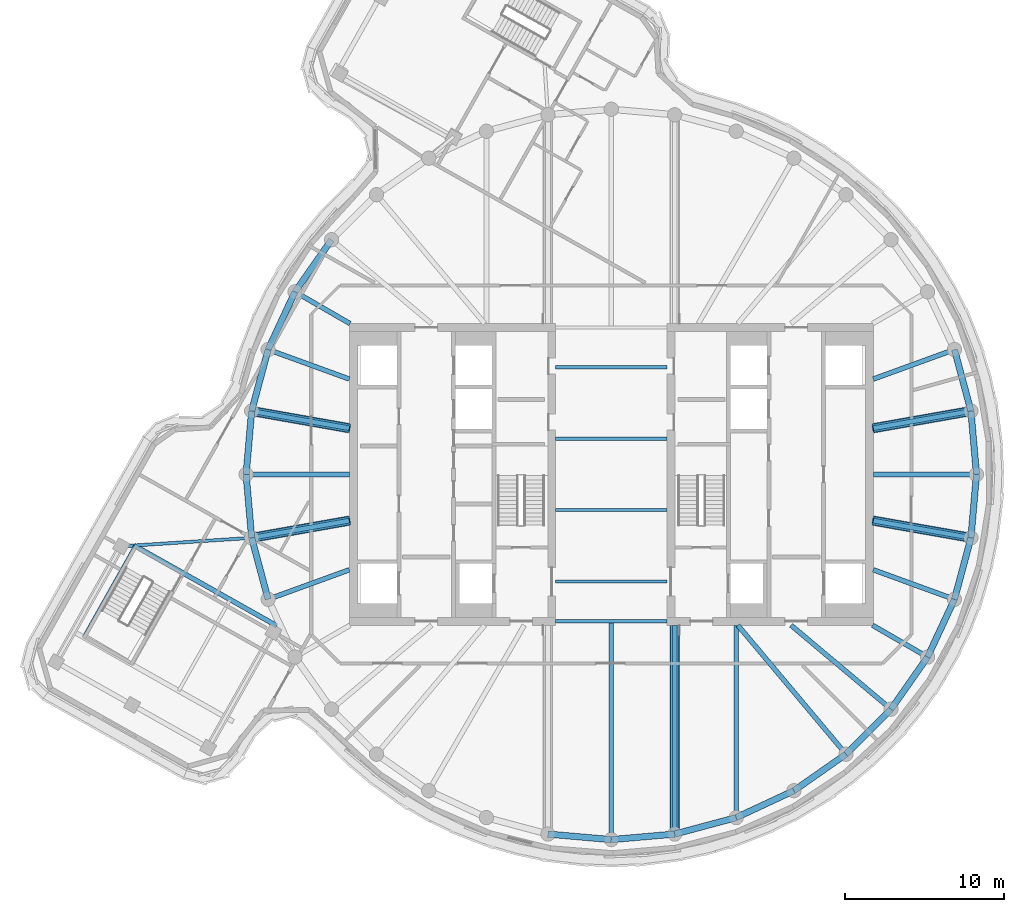
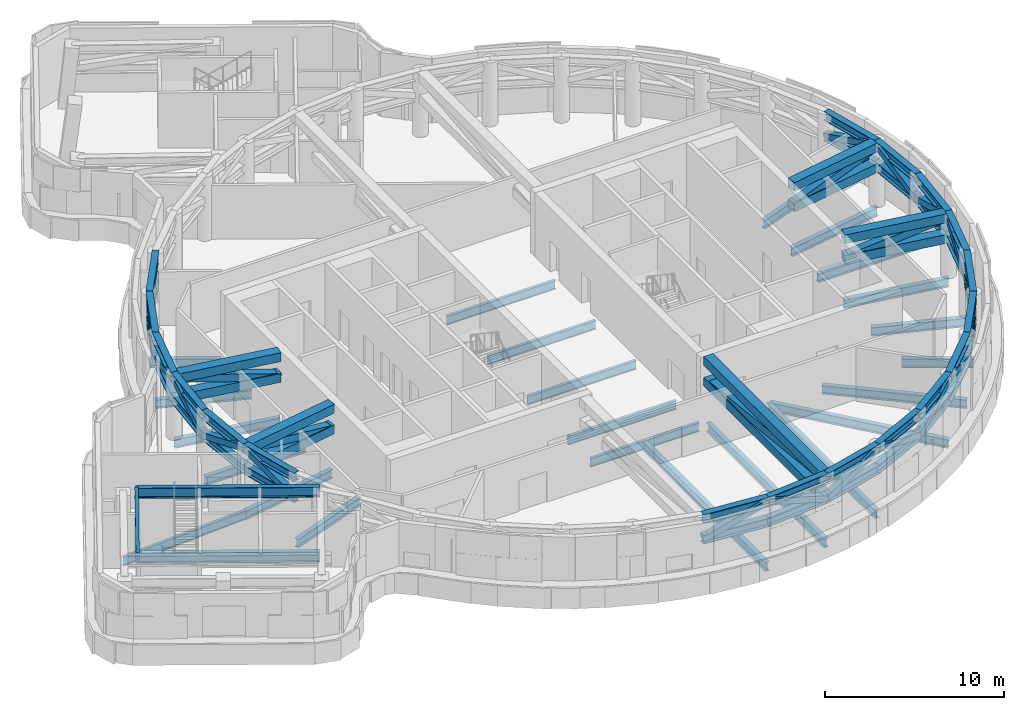
# One storey, part 2 of 15: 68 members, 26 beams.
"""IFC4 building model written with IfcOpenShell, lengths in metres."""

from ifc_helpers import new_model, si_unit, direction, frame, origin, origin_2d, place, context, subcontext, project, spatial, hollow_rectangle, i_section, extrude, material, material_profile, profile_set, type_object, element, save


model = new_model("IFC4")

# Units and contexts
model_context = context("Model", 3, precision=1e-05, world=origin(), true_north=direction((0.0, 1.0)))
body_context = subcontext(model_context, "Body", "Model", "MODEL_VIEW")
ifc_project = project(units=[si_unit("LENGTHUNIT", "METRE"), si_unit("AREAUNIT", "SQUARE_METRE"), si_unit("VOLUMEUNIT", "CUBIC_METRE"), si_unit("PLANEANGLEUNIT", "RADIAN"), si_unit("MASSUNIT", "GRAM", prefix="KILO")], contexts=[model_context])

# Site, building, storey
site_placement = place(None, origin())
site = spatial("IfcSite", under=ifc_project, at=site_placement, CompositionType="ELEMENT")
building_placement = place(site_placement, origin())
building = spatial("IfcBuilding", under=site, at=building_placement, Name="Tamarind Cross Interchange Tower", CompositionType="ELEMENT")
storey_placement = place(building_placement, frame((0.0, 0.0, 252.300048828125)))
storey = spatial("IfcBuildingStorey", under=building, at=storey_placement, Name="L64", CompositionType="ELEMENT", Elevation=252.300048828125)

# Beams
ifc_material_1 = material(Name="Steel Q355B", Category="steel")
ifc_material_profile_1 = material_profile(ifc_material_1, i_section(OverallWidth=0.302001953125, OverallDepth=0.593994140625, WebThickness=0.013916015625, FlangeThickness=0.02294921875, FilletRadius=0.01806640625, at=origin_2d()), Name="HM 594x302x14x23")
ifc_profile_set_1 = profile_set([ifc_material_profile_1], Name="Steel Q355B")
beam_type_1 = type_object("IfcBeamType", Name="Composite beam HM 594x302x14x23 Q355B", PredefinedType="BEAM", material=ifc_profile_set_1)
beam_1_placement = place(storey_placement, frame((23.0, 0.0, -0.47705078125), z_axis=(-1.0, 0.0, 0.0), x_axis=(0.0, -1.0, 0.0)))
element("IfcBeam", 1, at=beam_1_placement, inside=storey, type_object=beam_type_1, Name="Beam HH00", PredefinedType="BEAM", context=body_context, shape_type="SweptSolid", body=[
    extrude(i_section(OverallWidth=0.302001953125, OverallDepth=0.593994140625, WebThickness=0.013916015625, FlangeThickness=0.02294921875, FilletRadius=0.01806640625, at=origin_2d()), origin(), (0.0, 0.0, 1.0), 6.5),
])
beam_2_placement = place(storey_placement, frame((22.650634765625, 3.993896484375, -0.47705078125), z_axis=(-0.984809127561, -0.173640382036, 0.0), x_axis=(0.173640382036, -0.984809127561, 0.0)))
element("IfcBeam", 2, at=beam_2_placement, inside=storey, type_object=beam_type_1, Name="Beam HH01", PredefinedType="BEAM", context=body_context, shape_type="SweptSolid", body=[
    extrude(i_section(OverallWidth=0.302001953125, OverallDepth=0.593994140625, WebThickness=0.013916015625, FlangeThickness=0.02294921875, FilletRadius=0.01806640625, at=origin_2d()), origin(), (0.0, 0.0, 1.0), 6.24560546875),
])
beam_3_placement = place(storey_placement, frame((21.613037109375, 7.866455078125, -0.47705078125), z_axis=(-0.939701685589, -0.341995236956, 0.0), x_axis=(0.341995236956, -0.939701685589, 0.0)))
element("IfcBeam", 3, at=beam_3_placement, inside=storey, type_object=beam_type_1, Name="Beam HH02", PredefinedType="BEAM", context=body_context, shape_type="SweptSolid", body=[
    extrude(i_section(OverallWidth=0.302001953125, OverallDepth=0.593994140625, WebThickness=0.013916015625, FlangeThickness=0.02294921875, FilletRadius=0.01806640625, at=origin_2d()), origin(), (0.0, 0.0, 1.0), 5.441162109375),
])
beam_4_placement = place(storey_placement, frame((-19.918701171875, 11.5, -0.47705078125), z_axis=(0.866026010844, -0.49999894854, 0.0), x_axis=(0.49999894854, 0.866026010844, 0.0)))
element("IfcBeam", 4, at=beam_4_placement, inside=storey, type_object=beam_type_1, Name="Beam HH15", PredefinedType="BEAM", context=body_context, shape_type="SweptSolid", body=[
    extrude(i_section(OverallWidth=0.302001953125, OverallDepth=0.593994140625, WebThickness=0.013916015625, FlangeThickness=0.02294921875, FilletRadius=0.01806640625, at=origin_2d()), origin(), (0.0, 0.0, 1.0), 4.0),
])
beam_5_placement = place(storey_placement, frame((-21.613037109375, 7.866455078125, -0.47705078125), z_axis=(0.939701685589, -0.341995236956, 0.0), x_axis=(0.341995236956, 0.939701685589, 0.0)))
element("IfcBeam", 5, at=beam_5_placement, inside=storey, type_object=beam_type_1, Name="Beam HH16", PredefinedType="BEAM", context=body_context, shape_type="SweptSolid", body=[
    extrude(i_section(OverallWidth=0.302001953125, OverallDepth=0.593994140625, WebThickness=0.013916015625, FlangeThickness=0.02294921875, FilletRadius=0.01806640625, at=origin_2d()), origin(), (0.0, 0.0, 1.0), 5.441162109375),
])
beam_6_placement = place(storey_placement, frame((-22.650634765625, 3.993896484375, -0.47705078125), z_axis=(0.984809127561, -0.173640382036, 0.0), x_axis=(0.173640382036, 0.984809127561, 0.0)))
element("IfcBeam", 6, at=beam_6_placement, inside=storey, type_object=beam_type_1, Name="Beam HH17", PredefinedType="BEAM", context=body_context, shape_type="SweptSolid", body=[
    extrude(i_section(OverallWidth=0.302001953125, OverallDepth=0.593994140625, WebThickness=0.013916015625, FlangeThickness=0.02294921875, FilletRadius=0.01806640625, at=origin_2d()), origin(), (0.0, 0.0, 1.0), 6.24560546875),
])
beam_7_placement = place(storey_placement, frame((-23.0, 0.0, -0.47705078125), z_axis=(1.0, 0.0, 0.0), x_axis=(0.0, 1.0, 0.0)))
element("IfcBeam", 7, at=beam_7_placement, inside=storey, type_object=beam_type_1, Name="Beam HH18", PredefinedType="BEAM", context=body_context, shape_type="SweptSolid", body=[
    extrude(i_section(OverallWidth=0.302001953125, OverallDepth=0.593994140625, WebThickness=0.013916015625, FlangeThickness=0.02294921875, FilletRadius=0.01806640625, at=origin_2d()), origin(), (0.0, 0.0, 1.0), 6.5),
])
beam_8_placement = place(storey_placement, frame((-22.650634765625, -3.993896484375, -0.47705078125), z_axis=(0.984809127561, 0.173640382036, 0.0), x_axis=(-0.173640382036, 0.984809127561, 0.0)))
element("IfcBeam", 8, at=beam_8_placement, inside=storey, type_object=beam_type_1, Name="Beam HH19", PredefinedType="BEAM", context=body_context, shape_type="SweptSolid", body=[
    extrude(i_section(OverallWidth=0.302001953125, OverallDepth=0.593994140625, WebThickness=0.013916015625, FlangeThickness=0.02294921875, FilletRadius=0.01806640625, at=origin_2d()), origin(), (0.0, 0.0, 1.0), 6.24560546875),
])
beam_9_placement = place(storey_placement, frame((-21.613037109375, -7.866455078125, -0.47705078125), z_axis=(0.939701685589, 0.341995236956, 0.0), x_axis=(-0.341995236956, 0.939701685589, 0.0)))
element("IfcBeam", 9, at=beam_9_placement, inside=storey, type_object=beam_type_1, Name="Beam HH20", PredefinedType="BEAM", context=body_context, shape_type="SweptSolid", body=[
    extrude(i_section(OverallWidth=0.302001953125, OverallDepth=0.593994140625, WebThickness=0.013916015625, FlangeThickness=0.02294921875, FilletRadius=0.01806640625, at=origin_2d()), origin(), (0.0, 0.0, 1.0), 5.441162109375),
])
beam_10_placement = place(storey_placement, frame((0.0, -23.0, -0.47705078125), z_axis=(0.0, 1.0, 0.0), x_axis=(-1.0, 0.0, 0.0)))
element("IfcBeam", 10, at=beam_10_placement, inside=storey, type_object=beam_type_1, Name="Beam HH27", PredefinedType="BEAM", context=body_context, shape_type="SweptSolid", body=[
    extrude(i_section(OverallWidth=0.302001953125, OverallDepth=0.593994140625, WebThickness=0.013916015625, FlangeThickness=0.02294921875, FilletRadius=0.01806640625, at=origin_2d()), origin(), (0.0, 0.0, 1.0), 13.75),
])
beam_11_placement = place(storey_placement, frame((3.993896484375, -22.650634765625, -0.47705078125), z_axis=(0.0, 1.0, 0.0), x_axis=(-1.0, 0.0, 0.0)))
element("IfcBeam", 11, at=beam_11_placement, inside=storey, type_object=beam_type_1, Name="Beam HH28", PredefinedType="BEAM", context=body_context, shape_type="SweptSolid", body=[
    extrude(i_section(OverallWidth=0.302001953125, OverallDepth=0.593994140625, WebThickness=0.013916015625, FlangeThickness=0.02294921875, FilletRadius=0.01806640625, at=origin_2d()), origin(), (0.0, 0.0, 1.0), 13.150634765625),
])
beam_12_placement = place(storey_placement, frame((7.866455078125, -21.613037109375, -0.47705078125), z_axis=(0.0, 1.0, 0.0), x_axis=(-1.0, 0.0, 0.0)))
element("IfcBeam", 12, at=beam_12_placement, inside=storey, type_object=beam_type_1, Name="Beam HH29", PredefinedType="BEAM", context=body_context, shape_type="SweptSolid", body=[
    extrude(i_section(OverallWidth=0.302001953125, OverallDepth=0.593994140625, WebThickness=0.013916015625, FlangeThickness=0.02294921875, FilletRadius=0.01806640625, at=origin_2d()), origin(), (0.0, 0.0, 1.0), 12.113037109375),
])
beam_13_placement = place(storey_placement, frame((14.7841796875, -17.619140625, -0.47705078125), z_axis=(-0.642786293979, 0.766045547127, 0.0), x_axis=(-0.766045547127, -0.642786293979, 0.0)))
element("IfcBeam", 13, at=beam_13_placement, inside=storey, type_object=beam_type_1, Name="Beam HH31", PredefinedType="BEAM", context=body_context, shape_type="SweptSolid", body=[
    extrude(i_section(OverallWidth=0.302001953125, OverallDepth=0.593994140625, WebThickness=0.013916015625, FlangeThickness=0.02294921875, FilletRadius=0.01806640625, at=origin_2d()), origin(), (0.0, 0.0, 1.0), 10.598876953125),
])
beam_14_placement = place(storey_placement, frame((17.619140625, -14.7841796875, -0.47705078125), z_axis=(-0.766040580814, 0.642792212574, 0.0), x_axis=(-0.642792212574, -0.766040580814, 0.0)))
element("IfcBeam", 14, at=beam_14_placement, inside=storey, type_object=beam_type_1, Name="Beam HH32", PredefinedType="BEAM", context=body_context, shape_type="SweptSolid", body=[
    extrude(i_section(OverallWidth=0.302001953125, OverallDepth=0.593994140625, WebThickness=0.013916015625, FlangeThickness=0.02294921875, FilletRadius=0.01806640625, at=origin_2d()), origin(), (0.0, 0.0, 1.0), 8.220703125),
])
beam_15_placement = place(storey_placement, frame((19.918701171875, -11.5, -0.47705078125), z_axis=(-0.866026010844, 0.49999894854, 0.0), x_axis=(-0.49999894854, -0.866026010844, 0.0)))
element("IfcBeam", 15, at=beam_15_placement, inside=storey, type_object=beam_type_1, Name="Beam HH33", PredefinedType="BEAM", context=body_context, shape_type="SweptSolid", body=[
    extrude(i_section(OverallWidth=0.302001953125, OverallDepth=0.593994140625, WebThickness=0.013916015625, FlangeThickness=0.02294921875, FilletRadius=0.01806640625, at=origin_2d()), origin(), (0.0, 0.0, 1.0), 4.0),
])
beam_16_placement = place(storey_placement, frame((21.613037109375, -7.866455078125, -0.47705078125), z_axis=(-0.939701685589, 0.341995236956, 0.0), x_axis=(-0.341995236956, -0.939701685589, 0.0)))
element("IfcBeam", 16, at=beam_16_placement, inside=storey, type_object=beam_type_1, Name="Beam HH34", PredefinedType="BEAM", context=body_context, shape_type="SweptSolid", body=[
    extrude(i_section(OverallWidth=0.302001953125, OverallDepth=0.593994140625, WebThickness=0.013916015625, FlangeThickness=0.02294921875, FilletRadius=0.01806640625, at=origin_2d()), origin(), (0.0, 0.0, 1.0), 5.441162109375),
])
beam_17_placement = place(storey_placement, frame((22.650634765625, -3.993896484375, -0.47705078125), z_axis=(-0.984809127561, 0.173640382036, 0.0), x_axis=(-0.173640382036, -0.984809127561, 0.0)))
element("IfcBeam", 17, at=beam_17_placement, inside=storey, type_object=beam_type_1, Name="Beam HH35", PredefinedType="BEAM", context=body_context, shape_type="SweptSolid", body=[
    extrude(i_section(OverallWidth=0.302001953125, OverallDepth=0.593994140625, WebThickness=0.013916015625, FlangeThickness=0.02294921875, FilletRadius=0.01806640625, at=origin_2d()), origin(), (0.0, 0.0, 1.0), 6.24560546875),
])
ifc_material_profile_2 = material_profile(ifc_material_1, i_section(OverallWidth=0.198974609375, OverallDepth=0.595947265625, WebThickness=0.010009765625, FlangeThickness=0.014892578125, FilletRadius=0.012939453125, at=origin_2d()), Name="HN 596x199x10x15")
ifc_profile_set_2 = profile_set([ifc_material_profile_2], Name="Steel Q355B")
beam_type_2 = type_object("IfcBeamType", Name="Composite beam HN 596x199x10x15 Q355B", PredefinedType="BEAM", material=ifc_profile_set_2)
for number, where, z_axis, x_axis, name in (
    (18, (-3.5, -2.25, -0.47802734375), (1.0, 0.0, 0.0), (0.0, 1.0, 0.0), "Beam G-2.25"),
    (19, (-3.5, -6.75, -0.47802734375), (1.0, 0.0, 0.0), (0.0, 1.0, 0.0), "Beam G-6.75"),
    (20, (-3.5, -9.25, -0.47802734375), (1.0, 0.0, 0.0), (0.0, 1.0, 0.0), "Beam G-9.25"),
    (21, (-3.5, 2.25, -0.47802734375), (1.0, 0.0, 0.0), (0.0, 1.0, 0.0), "Beam G2.25"),
    (22, (-3.5, 6.75, -0.47802734375), (1.0, 0.0, 0.0), (0.0, 1.0, 0.0), "Beam G6.75"),
):
    element("IfcBeam", number, at=place(storey_placement, frame(where, z_axis=z_axis, x_axis=x_axis)), inside=storey, type_object=beam_type_2, Name=name, PredefinedType="BEAM", context=body_context, shape_type="SweptSolid", body=[
        extrude(i_section(OverallWidth=0.198974609375, OverallDepth=0.595947265625, WebThickness=0.010009765625, FlangeThickness=0.014892578125, FilletRadius=0.012939453125, at=origin_2d()), origin(), (0.0, 0.0, 1.0), 7.0),
    ])
ifc_material_profile_3 = material_profile(ifc_material_1, i_section(OverallWidth=0.199951171875, OverallDepth=0.60009765625, WebThickness=0.010986328125, FlangeThickness=0.01708984375, FilletRadius=0.012939453125, at=origin_2d()), Name="HN 600x200x11x17")
ifc_profile_set_3 = profile_set([ifc_material_profile_3], Name="Steel Q355B")
beam_type_3 = type_object("IfcBeamType", Name="Composite beam HN 600x200x11x17 Q355B", PredefinedType="BEAM", material=ifc_profile_set_3)
beam_18_placement = place(storey_placement, frame((-30.8662109375, -4.53076171875, -0.47998046875), z_axis=(0.997871682993, 0.065208161151, 0.0), x_axis=(-0.065208161151, 0.997871682993, 0.0)))
element("IfcBeam", 23, at=beam_18_placement, inside=storey, type_object=beam_type_3, Name="Beam W-linkem", PredefinedType="BEAM", context=body_context, shape_type="SweptSolid", body=[
    extrude(i_section(OverallWidth=0.199951171875, OverallDepth=0.60009765625, WebThickness=0.010986328125, FlangeThickness=0.01708984375, FilletRadius=0.012939453125, at=origin_2d()), origin(), (0.0, 0.0, 1.0), 8.233154296875),
])
ifc_material_profile_4 = material_profile(ifc_material_1, i_section(OverallWidth=0.300048828125, OverallDepth=0.699951171875, WebThickness=0.012939453125, FlangeThickness=0.02392578125, FilletRadius=0.01806640625, at=origin_2d()), Name="HN 700x300x13x24")
ifc_profile_set_4 = profile_set([ifc_material_profile_4], Name="Steel Q355B")
beam_type_4 = type_object("IfcBeamType", Name="Composite beam HN 700x300x13x24 Q355B", PredefinedType="BEAM", material=ifc_profile_set_4)
beam_19_placement = place(storey_placement, frame((-30.044921875, -4.477294921875, -0.530029296875), z_axis=(0.871201557699, -0.490925499301, 0.0), x_axis=(0.490925499301, 0.871201557699, 0.0)))
element("IfcBeam", 24, at=beam_19_placement, inside=storey, type_object=beam_type_4, Name="Beam W-x298", PredefinedType="BEAM", context=body_context, shape_type="SweptSolid", body=[
    extrude(i_section(OverallWidth=0.300048828125, OverallDepth=0.699951171875, WebThickness=0.012939453125, FlangeThickness=0.02392578125, FilletRadius=0.01806640625, at=origin_2d()), origin(), (0.0, 0.0, 1.0), 10.310546875),
])
ifc_material_profile_5 = material_profile(ifc_material_1, i_section(OverallWidth=0.199951171875, OverallDepth=0.60009765625, WebThickness=0.010986328125, FlangeThickness=0.01708984375, FilletRadius=0.012939453125, at=origin_2d()), Name="HN 600x200x11x17")
ifc_profile_set_5 = profile_set([ifc_material_profile_5], Name="Steel Q355B")
beam_type_5 = type_object("IfcBeamType", Name="Roof beam HN 600x200x11x17 Q355B", PredefinedType="BEAM", material=ifc_profile_set_5)
beam_20_placement = place(storey_placement, frame((-29.991943359375, -4.507080078125, 3.949951171875), z_axis=(-0.490936807271, -0.871195185516, 0.0), x_axis=(0.871195185516, -0.490936807271, 0.0)))
element("IfcBeam", 25, at=beam_20_placement, inside=storey, type_object=beam_type_5, Name="Beam W-tr0", PredefinedType="BEAM", context=body_context, shape_type="SweptSolid", body=[
    extrude(i_section(OverallWidth=0.199951171875, OverallDepth=0.60009765625, WebThickness=0.010986328125, FlangeThickness=0.01708984375, FilletRadius=0.012939453125, at=origin_2d()), origin(), (0.0, 0.0, 1.0), 6.449951171875),
])
ifc_material_profile_6 = material_profile(ifc_material_1, i_section(OverallWidth=0.300048828125, OverallDepth=0.699951171875, WebThickness=0.012939453125, FlangeThickness=0.02392578125, FilletRadius=0.01806640625, at=origin_2d()), Name="HN 700x300x13x24")
ifc_profile_set_6 = profile_set([ifc_material_profile_6], Name="Steel Q355B")
beam_type_6 = type_object("IfcBeamType", Name="Roof beam HN 700x300x13x24 Q355B", PredefinedType="BEAM", material=ifc_profile_set_6)
beam_21_placement = place(storey_placement, frame((-30.044921875, -4.477294921875, 3.89990234375), z_axis=(0.871201557699, -0.490925499301, 0.0), x_axis=(0.490925499301, 0.871201557699, 0.0)))
element("IfcBeam", 26, at=beam_21_placement, inside=storey, type_object=beam_type_6, Name="Beam W-x298", PredefinedType="BEAM", context=body_context, shape_type="SweptSolid", body=[
    extrude(i_section(OverallWidth=0.300048828125, OverallDepth=0.699951171875, WebThickness=0.012939453125, FlangeThickness=0.02392578125, FilletRadius=0.01806640625, at=origin_2d()), origin(), (0.0, 0.0, 1.0), 10.310546875),
])

# Members
ifc_material_2 = material(Name="Steel Q420B", Category="steel")
ifc_material_profile_7 = material_profile(ifc_material_2, i_section(OverallWidth=0.39990234375, OverallDepth=0.60009765625, WebThickness=0.02490234375, FlangeThickness=0.0400390625, at=origin_2d()), Name="BH 600x400x25x40")
ifc_profile_set_7 = profile_set([ifc_material_profile_7], Name="Steel Q420B")
member_type_1 = type_object("IfcMemberType", Name="Truss chord BH 600x400x25x40 Q420B", PredefinedType="CHORD", material=ifc_profile_set_7)
for number, where, z_axis, x_axis, name in (
    (27, (23.0, 0.0, 4.06005859375), (-0.087142021558, 0.996195898445, 0.0), (-0.996195898445, -0.087142021558, 0.0), "Belt truss ring top H00"),
    (28, (23.0, 0.0, 2.64990234375), (-0.087142021558, 0.996195898445, 0.0), (-0.996195898445, -0.087142021558, 0.0), "Belt truss ring bottom H00"),
    (29, (22.650634765625, 3.993896484375, 4.06005859375), (-0.258807108475, 0.96592902462, 0.0), (-0.96592902462, -0.258807108475, 0.0), "Belt truss ring top H01"),
    (30, (22.650634765625, 3.993896484375, 2.64990234375), (-0.258807108475, 0.96592902462, 0.0), (-0.96592902462, -0.258807108475, 0.0), "Belt truss ring bottom H01"),
):
    element("IfcMember", number, at=place(storey_placement, frame(where, z_axis=z_axis, x_axis=x_axis)), inside=storey, type_object=member_type_1, Name=name, PredefinedType="CHORD", context=body_context, shape_type="SweptSolid", body=[
        extrude(i_section(OverallWidth=0.39990234375, OverallDepth=0.60009765625, WebThickness=0.02490234375, FlangeThickness=0.0400390625, at=origin_2d()), origin(), (0.0, 0.0, 1.0), 4.009033203125),
    ])
for number, where, z_axis, x_axis, name in (
    (31, (-17.619140625, 14.7841796875, 4.06005859375), (-0.573568599011, -0.819157531998, 0.0), (0.819157531998, -0.573568599011, 0.0), "Belt truss ring top H14"),
    (32, (-17.619140625, 14.7841796875, 2.64990234375), (-0.573568599011, -0.819157531998, 0.0), (0.819157531998, -0.573568599011, 0.0), "Belt truss ring bottom H14"),
    (33, (-19.918701171875, 11.5, 4.06005859375), (-0.422615416827, -0.906309113636, 0.0), (0.906309113636, -0.422615416827, 0.0), "Belt truss ring top H15"),
    (34, (-19.918701171875, 11.5, 2.64990234375), (-0.422615416827, -0.906309113636, 0.0), (0.906309113636, -0.422615416827, 0.0), "Belt truss ring bottom H15"),
):
    element("IfcMember", number, at=place(storey_placement, frame(where, z_axis=z_axis, x_axis=x_axis)), inside=storey, type_object=member_type_1, Name=name, PredefinedType="CHORD", context=body_context, shape_type="SweptSolid", body=[
        extrude(i_section(OverallWidth=0.39990234375, OverallDepth=0.60009765625, WebThickness=0.02490234375, FlangeThickness=0.0400390625, at=origin_2d()), origin(), (0.0, 0.0, 1.0), 4.00927734375),
    ])
for number, where, z_axis, x_axis, name in (
    (35, (-21.613037109375, 7.866455078125, 4.06005859375), (-0.258807108475, -0.96592902462, 0.0), (0.96592902462, -0.258807108475, 0.0), "Belt truss ring top H16"),
    (36, (-21.613037109375, 7.866455078125, 2.64990234375), (-0.258807108475, -0.96592902462, 0.0), (0.96592902462, -0.258807108475, 0.0), "Belt truss ring bottom H16"),
    (37, (-22.650634765625, 3.993896484375, 4.06005859375), (-0.087142021558, -0.996195898445, 0.0), (0.996195898445, -0.087142021558, 0.0), "Belt truss ring top H17"),
    (38, (-22.650634765625, 3.993896484375, 2.64990234375), (-0.087142021558, -0.996195898445, 0.0), (0.996195898445, -0.087142021558, 0.0), "Belt truss ring bottom H17"),
    (39, (-23.0, 0.0, 4.06005859375), (0.087142021558, -0.996195898445, 0.0), (0.996195898445, 0.087142021558, 0.0), "Belt truss ring top H18"),
    (40, (-23.0, 0.0, 2.64990234375), (0.087142021558, -0.996195898445, 0.0), (0.996195898445, 0.087142021558, 0.0), "Belt truss ring bottom H18"),
    (41, (-22.650634765625, -3.993896484375, 4.06005859375), (0.258807108475, -0.96592902462, 0.0), (0.96592902462, 0.258807108475, 0.0), "Belt truss ring top H19"),
    (42, (-22.650634765625, -3.993896484375, 2.64990234375), (0.258807108475, -0.96592902462, 0.0), (0.96592902462, 0.258807108475, 0.0), "Belt truss ring bottom H19"),
    (43, (-3.993896484375, -22.650634765625, 4.06005859375), (0.996195898445, -0.087142021558, 0.0), (0.087142021558, 0.996195898445, 0.0), "Belt truss ring top H26"),
    (44, (-3.993896484375, -22.650634765625, 2.64990234375), (0.996195898445, -0.087142021558, 0.0), (0.087142021558, 0.996195898445, 0.0), "Belt truss ring bottom H26"),
    (45, (0.0, -23.0, 4.06005859375), (0.996195898445, 0.087142021558, 0.0), (-0.087142021558, 0.996195898445, 0.0), "Belt truss ring top H27"),
    (46, (0.0, -23.0, 2.64990234375), (0.996195898445, 0.087142021558, 0.0), (-0.087142021558, 0.996195898445, 0.0), "Belt truss ring bottom H27"),
    (47, (3.993896484375, -22.650634765625, 4.06005859375), (0.96592902462, 0.258807108475, 0.0), (-0.258807108475, 0.96592902462, 0.0), "Belt truss ring top H28"),
    (48, (3.993896484375, -22.650634765625, 2.64990234375), (0.96592902462, 0.258807108475, 0.0), (-0.258807108475, 0.96592902462, 0.0), "Belt truss ring bottom H28"),
):
    element("IfcMember", number, at=place(storey_placement, frame(where, z_axis=z_axis, x_axis=x_axis)), inside=storey, type_object=member_type_1, Name=name, PredefinedType="CHORD", context=body_context, shape_type="SweptSolid", body=[
        extrude(i_section(OverallWidth=0.39990234375, OverallDepth=0.60009765625, WebThickness=0.02490234375, FlangeThickness=0.0400390625, at=origin_2d()), origin(), (0.0, 0.0, 1.0), 4.009033203125),
    ])
for number, where, z_axis, x_axis, name in (
    (49, (7.866455078125, -21.613037109375, 4.06005859375), (0.906309113636, 0.422615416827, 0.0), (-0.422615416827, 0.906309113636, 0.0), "Belt truss ring top H29"),
    (50, (7.866455078125, -21.613037109375, 2.64990234375), (0.906309113636, 0.422615416827, 0.0), (-0.422615416827, 0.906309113636, 0.0), "Belt truss ring bottom H29"),
    (51, (11.5, -19.918701171875, 4.06005859375), (0.819157531998, 0.573568599011, 0.0), (-0.573568599011, 0.819157531998, 0.0), "Belt truss ring top H30"),
    (52, (11.5, -19.918701171875, 2.64990234375), (0.819157531998, 0.573568599011, 0.0), (-0.573568599011, 0.819157531998, 0.0), "Belt truss ring bottom H30"),
    (53, (14.7841796875, -17.619140625, 4.06005859375), (0.707106781187, 0.707106781187, 0.0), (-0.707106781187, 0.707106781187, 0.0), "Belt truss ring top H31"),
    (54, (14.7841796875, -17.619140625, 2.64990234375), (0.707106781187, 0.707106781187, 0.0), (-0.707106781187, 0.707106781187, 0.0), "Belt truss ring bottom H31"),
    (55, (17.619140625, -14.7841796875, 4.06005859375), (0.573568599011, 0.819157531998, 0.0), (-0.819157531998, 0.573568599011, 0.0), "Belt truss ring top H32"),
    (56, (17.619140625, -14.7841796875, 2.64990234375), (0.573568599011, 0.819157531998, 0.0), (-0.819157531998, 0.573568599011, 0.0), "Belt truss ring bottom H32"),
    (57, (19.918701171875, -11.5, 4.06005859375), (0.422615416827, 0.906309113636, 0.0), (-0.906309113636, 0.422615416827, 0.0), "Belt truss ring top H33"),
    (58, (19.918701171875, -11.5, 2.64990234375), (0.422615416827, 0.906309113636, 0.0), (-0.906309113636, 0.422615416827, 0.0), "Belt truss ring bottom H33"),
):
    element("IfcMember", number, at=place(storey_placement, frame(where, z_axis=z_axis, x_axis=x_axis)), inside=storey, type_object=member_type_1, Name=name, PredefinedType="CHORD", context=body_context, shape_type="SweptSolid", body=[
        extrude(i_section(OverallWidth=0.39990234375, OverallDepth=0.60009765625, WebThickness=0.02490234375, FlangeThickness=0.0400390625, at=origin_2d()), origin(), (0.0, 0.0, 1.0), 4.00927734375),
    ])
for number, where, z_axis, x_axis, name in (
    (59, (21.613037109375, -7.866455078125, 4.06005859375), (0.258807108475, 0.96592902462, 0.0), (-0.96592902462, 0.258807108475, 0.0), "Belt truss ring top H34"),
    (60, (21.613037109375, -7.866455078125, 2.64990234375), (0.258807108475, 0.96592902462, 0.0), (-0.96592902462, 0.258807108475, 0.0), "Belt truss ring bottom H34"),
    (61, (22.650634765625, -3.993896484375, 4.06005859375), (0.087142021558, 0.996195898445, 0.0), (-0.996195898445, 0.087142021558, 0.0), "Belt truss ring top H35"),
    (62, (22.650634765625, -3.993896484375, 2.64990234375), (0.087142021558, 0.996195898445, 0.0), (-0.996195898445, 0.087142021558, 0.0), "Belt truss ring bottom H35"),
):
    element("IfcMember", number, at=place(storey_placement, frame(where, z_axis=z_axis, x_axis=x_axis)), inside=storey, type_object=member_type_1, Name=name, PredefinedType="CHORD", context=body_context, shape_type="SweptSolid", body=[
        extrude(i_section(OverallWidth=0.39990234375, OverallDepth=0.60009765625, WebThickness=0.02490234375, FlangeThickness=0.0400390625, at=origin_2d()), origin(), (0.0, 0.0, 1.0), 4.009033203125),
    ])
ifc_material_profile_8 = material_profile(ifc_material_2, hollow_rectangle(XDim=0.60009765625, YDim=0.60009765625, WallThickness=0.0400390625, at=origin_2d()), Name="BOX 600x600x40")
ifc_profile_set_8 = profile_set([ifc_material_profile_8], Name="Steel Q420B")
member_type_2 = type_object("IfcMemberType", Name="Truss chord BOX 600x600x40 Q420B", PredefinedType="CHORD", material=ifc_profile_set_8)
for number, where, z_axis, x_axis, name in (
    (63, (16.5, 2.909423828125, 4.06005859375), (0.984809127561, 0.173640382036, 0.0), (-0.173640382036, 0.984809127561, 0.0), "Outrigger truss H01 top"),
    (64, (16.5, 2.909423828125, 2.64990234375), (0.984809127561, 0.173640382036, 0.0), (-0.173640382036, 0.984809127561, 0.0), "Outrigger truss H01 bottom"),
    (65, (16.5, -2.909423828125, 4.06005859375), (0.984809127561, -0.173640382036, 0.0), (0.173640382036, 0.984809127561, 0.0), "Outrigger truss H35 top"),
    (66, (16.5, -2.909423828125, 2.64990234375), (0.984809127561, -0.173640382036, 0.0), (0.173640382036, 0.984809127561, 0.0), "Outrigger truss H35 bottom"),
    (67, (-16.5, 2.909423828125, 4.06005859375), (-0.984809127561, 0.173640382036, 0.0), (-0.173640382036, -0.984809127561, 0.0), "Outrigger truss H17 top"),
    (68, (-16.5, 2.909423828125, 2.64990234375), (-0.984809127561, 0.173640382036, 0.0), (-0.173640382036, -0.984809127561, 0.0), "Outrigger truss H17 bottom"),
    (69, (-16.5, -2.909423828125, 4.06005859375), (-0.984809127561, -0.173640382036, 0.0), (0.173640382036, -0.984809127561, 0.0), "Outrigger truss H19 top"),
    (70, (-16.5, -2.909423828125, 2.64990234375), (-0.984809127561, -0.173640382036, 0.0), (0.173640382036, -0.984809127561, 0.0), "Outrigger truss H19 bottom"),
):
    element("IfcMember", number, at=place(storey_placement, frame(where, z_axis=z_axis, x_axis=x_axis)), inside=storey, type_object=member_type_2, Name=name, PredefinedType="CHORD", context=body_context, shape_type="SweptSolid", body=[
        extrude(hollow_rectangle(XDim=0.60009765625, YDim=0.60009765625, WallThickness=0.0400390625, at=origin_2d()), origin(), (0.0, 0.0, 1.0), 6.24560546875),
    ])
for number, where, z_axis, x_axis, name in (
    (71, (3.993896484375, -9.5, 4.06005859375), (0.0, -1.0, 0.0), (1.0, 0.0, 0.0), "Outrigger truss H28 top"),
    (72, (3.993896484375, -9.5, 2.64990234375), (0.0, -1.0, 0.0), (1.0, 0.0, 0.0), "Outrigger truss H28 bottom"),
):
    element("IfcMember", number, at=place(storey_placement, frame(where, z_axis=z_axis, x_axis=x_axis)), inside=storey, type_object=member_type_2, Name=name, PredefinedType="CHORD", context=body_context, shape_type="SweptSolid", body=[
        extrude(hollow_rectangle(XDim=0.60009765625, YDim=0.60009765625, WallThickness=0.0400390625, at=origin_2d()), origin(), (0.0, 0.0, 1.0), 13.150634765625),
    ])
ifc_material_profile_9 = material_profile(ifc_material_2, hollow_rectangle(XDim=0.39990234375, YDim=0.39990234375, WallThickness=0.02490234375, at=origin_2d()), Name="BOX 400x400x25")
ifc_profile_set_9 = profile_set([ifc_material_profile_9], Name="Steel Q420B")
member_type_3 = type_object("IfcMemberType", Name="Truss diagonal BOX 400x400x25 Q420B", PredefinedType="BRACE", material=ifc_profile_set_9)
for number, where, z_axis, x_axis, name in (
    (73, (23.0, 0.0, 2.64990234375), (-0.082205164178, 0.939758407255, 0.331807846464), (-0.996195898445, -0.087142021558, 0.0), "Belt truss ring diagonal H00"),
    (74, (22.650634765625, 3.993896484375, 4.06005859375), (-0.244144953026, 0.911206410564, -0.33180735263), (-0.96592902462, -0.258807108475, 0.0), "Belt truss ring diagonal H01"),
    (75, (-19.918701171875, 11.5, 4.06005859375), (-0.398673198935, -0.854964440887, -0.33180639727), (0.906309113636, -0.422615416827, 0.0), "Belt truss ring diagonal H15"),
    (76, (-21.613037109375, 7.866455078125, 2.64990234375), (-0.244144953026, -0.911206410564, 0.33180735263), (0.96592902462, -0.258807108475, 0.0), "Belt truss ring diagonal H16"),
    (77, (-22.650634765625, 3.993896484375, 4.06005859375), (-0.082205164178, -0.939758407255, -0.331807846464), (0.996195898445, -0.087142021558, 0.0), "Belt truss ring diagonal H17"),
    (78, (-23.0, 0.0, 2.64990234375), (0.082205164178, -0.939758407255, 0.331807846464), (0.996195898445, 0.087142021558, 0.0), "Belt truss ring diagonal H18"),
    (79, (-22.650634765625, -3.993896484375, 4.06005859375), (0.244144953026, -0.911206410564, -0.33180735263), (0.96592902462, 0.258807108475, 0.0), "Belt truss ring diagonal H19"),
    (80, (-3.993896484375, -22.650634765625, 2.64990234375), (0.939758407255, -0.082205164178, 0.331807846464), (0.087142021558, 0.996195898445, 0.0), "Belt truss ring diagonal H26"),
    (81, (0.0, -23.0, 4.06005859375), (0.939758407255, 0.082205164178, -0.331807846464), (-0.087142021558, 0.996195898445, 0.0), "Belt truss ring diagonal H27"),
    (82, (3.993896484375, -22.650634765625, 2.64990234375), (0.911206410564, 0.244144953026, 0.33180735263), (-0.258807108475, 0.96592902462, 0.0), "Belt truss ring diagonal H28"),
    (83, (7.866455078125, -21.613037109375, 4.06005859375), (0.854964440887, 0.398673198935, -0.33180639727), (-0.422615416827, 0.906309113636, 0.0), "Belt truss ring diagonal H29"),
    (84, (11.5, -19.918701171875, 2.64990234375), (0.772751251109, 0.541075232991, 0.331802797086), (-0.573568599011, 0.819157531998, 0.0), "Belt truss ring diagonal H30"),
    (85, (14.7841796875, -17.619140625, 4.06005859375), (0.667048751873, 0.667048751873, -0.331801032623), (-0.707106781187, 0.707106781187, 0.0), "Belt truss ring diagonal H31"),
    (86, (17.619140625, -14.7841796875, 2.64990234375), (0.541075232991, 0.772751251109, 0.331802797086), (-0.819157531998, 0.573568599011, 0.0), "Belt truss ring diagonal H32"),
    (87, (19.918701171875, -11.5, 4.06005859375), (0.398673198935, 0.854964440887, -0.33180639727), (-0.906309113636, 0.422615416827, 0.0), "Belt truss ring diagonal H33"),
    (88, (21.613037109375, -7.866455078125, 2.64990234375), (0.244144953026, 0.911206410564, 0.33180735263), (-0.96592902462, 0.258807108475, 0.0), "Belt truss ring diagonal H34"),
    (89, (22.650634765625, -3.993896484375, 4.06005859375), (0.082205164178, 0.939758407255, -0.331807846464), (-0.996195898445, 0.087142021558, 0.0), "Belt truss ring diagonal H35"),
):
    element("IfcMember", number, at=place(storey_placement, frame(where, z_axis=z_axis, x_axis=x_axis)), inside=storey, type_object=member_type_3, Name=name, PredefinedType="BRACE", context=body_context, shape_type="SweptSolid", body=[
        extrude(hollow_rectangle(XDim=0.39990234375, YDim=0.39990234375, WallThickness=0.02490234375, at=origin_2d()), origin(), (0.0, 0.0, 1.0), 4.25),
    ])
ifc_material_profile_10 = material_profile(ifc_material_2, hollow_rectangle(XDim=0.5, YDim=0.5, WallThickness=0.030029296875, at=origin_2d()), Name="BOX 500x500x30")
ifc_profile_set_10 = profile_set([ifc_material_profile_10], Name="Steel Q420B")
member_type_4 = type_object("IfcMemberType", Name="Truss diagonal BOX 500x500x30 Q420B", PredefinedType="BRACE", material=ifc_profile_set_10)
for number, where, z_axis, x_axis, name in (
    (90, (16.5, 2.909423828125, 2.64990234375), (0.960627170611, 0.169376647952, 0.220243025342), (-0.173640382036, 0.984809127561, 0.0), "Outrigger truss H01 diagonal"),
    (91, (16.5, -2.909423828125, 2.64990234375), (0.960627170611, -0.169376647952, 0.220243025342), (0.173640382036, 0.984809127561, 0.0), "Outrigger truss H35 diagonal"),
    (92, (-16.5, 2.909423828125, 2.64990234375), (-0.960627170611, 0.169376647952, 0.220243025342), (-0.173640382036, -0.984809127561, 0.0), "Outrigger truss H17 diagonal"),
    (93, (-16.5, -2.909423828125, 2.64990234375), (-0.960627170611, -0.169376647952, 0.220243025342), (0.173640382036, -0.984809127561, 0.0), "Outrigger truss H19 diagonal"),
):
    element("IfcMember", number, at=place(storey_placement, frame(where, z_axis=z_axis, x_axis=x_axis)), inside=storey, type_object=member_type_4, Name=name, PredefinedType="BRACE", context=body_context, shape_type="SweptSolid", body=[
        extrude(hollow_rectangle(XDim=0.5, YDim=0.5, WallThickness=0.030029296875, at=origin_2d()), origin(), (0.0, 0.0, 1.0), 6.40283203125),
    ])
member_placement = place(storey_placement, frame((3.993896484375, -9.5, 2.64990234375), z_axis=(0.0, -0.994299862393, 0.106619808877), x_axis=(1.0, 0.0, 0.0)))
element("IfcMember", 94, at=member_placement, inside=storey, type_object=member_type_4, Name="Outrigger truss H28 diagonal", PredefinedType="BRACE", context=body_context, shape_type="SweptSolid", body=[
    extrude(hollow_rectangle(XDim=0.5, YDim=0.5, WallThickness=0.030029296875, at=origin_2d()), origin(), (0.0, 0.0, 1.0), 13.22607421875),
])

save(model, "model.ifc")
